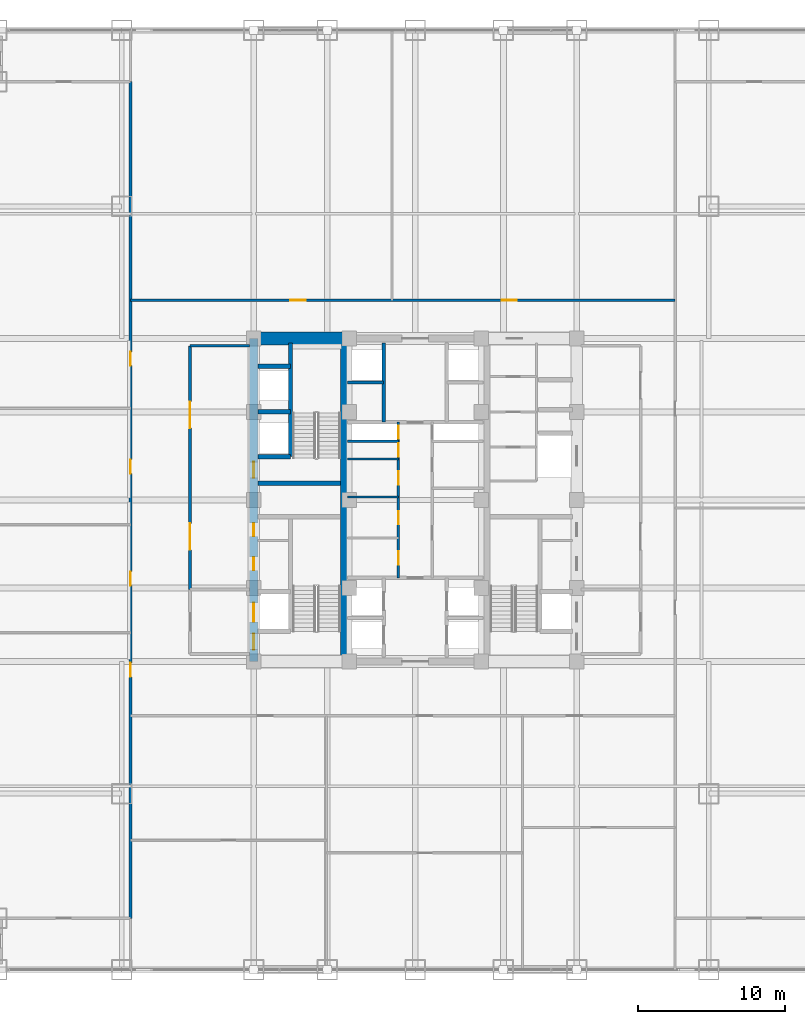
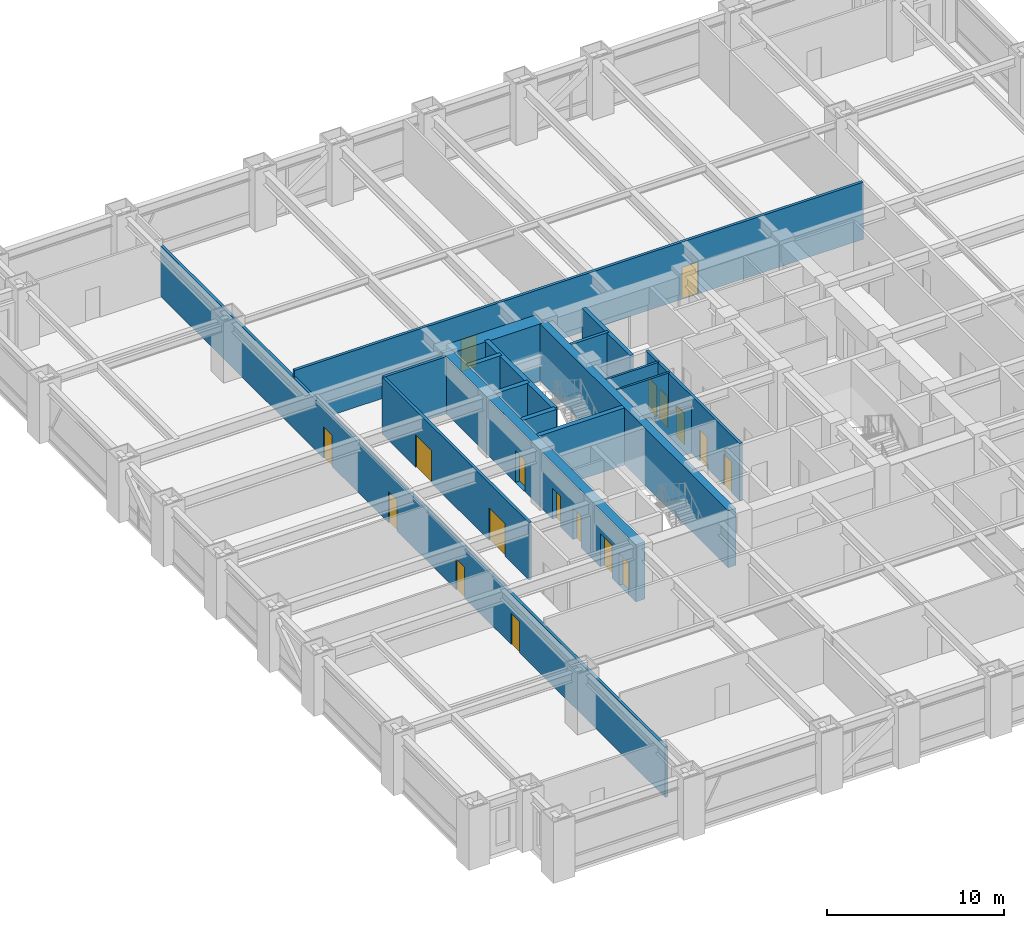
# One storey, part 25 of 28: 18 doors, 18 walls, 18 openings.
"""IFC4 building model written with IfcOpenShell, lengths in metres."""

from ifc_helpers import new_model, si_unit, direction, frame, frame_2d, origin, place, context, subcontext, project, spatial, rectangle, extrude, source, transform, mapped, material, layer, layer_set, type_object, element, fill, save


model = new_model("IFC4")

# Units and contexts
model_context = context("Model", 3, precision=1e-05, world=origin(), true_north=direction((0.0, 1.0)))
body_context = subcontext(model_context, "Body", "Model", "MODEL_VIEW")
ifc_project = project(units=[si_unit("LENGTHUNIT", "METRE"), si_unit("AREAUNIT", "SQUARE_METRE"), si_unit("VOLUMEUNIT", "CUBIC_METRE"), si_unit("PLANEANGLEUNIT", "RADIAN"), si_unit("MASSUNIT", "GRAM", prefix="KILO")], contexts=[model_context])

# Site, building, storey
site_placement = place(None, origin())
site = spatial("IfcSite", under=ifc_project, at=site_placement, CompositionType="ELEMENT")
building_placement = place(site_placement, origin())
building = spatial("IfcBuilding", under=site, at=building_placement, Name="Khorayat Bourse Tower", CompositionType="ELEMENT")
storey_placement = place(building_placement, frame((0.0, 0.0, 62.0)))
storey = spatial("IfcBuildingStorey", under=building, at=storey_placement, Name="L13", CompositionType="ELEMENT", Elevation=62.0)

# Wall, openings, doors
ifc_material_1 = material(Name="Concrete C60/75", Category="concrete")
ifc_layer_1 = layer(ifc_material_1, 0.60009765625)
ifc_layer_set_1 = layer_set([ifc_layer_1], Name="Concrete C60/75")
wall_type_1 = type_object("IfcWallType", Name="WAL-CORE-600", PredefinedType="SHEAR", material=ifc_layer_set_1)
shared_shape_1 = source(origin(), body_context, "Body", "SweptSolid", [
    extrude(rectangle(XDim=22.0, YDim=0.60009765625, at=frame_2d((11.0, 0.0))), origin(), (0.0, 0.0, 1.0), 3.93994140625),
])
wall_1_placement = place(storey_placement, frame((-11.0, -11.0, 0.0), z_axis=(0.0, 0.0, 1.0), x_axis=(0.0, 1.0, 0.0)))
wall_1 = element("IfcWall", 1, at=wall_1_placement, inside=storey, type_object=wall_type_1, Name="L13 Core Shear Wall CORE-W", PredefinedType="SHEAR", context=body_context, shape_type="MappedRepresentation", body=[
    mapped(shared_shape_1, transform((0.0, 0.0, 0.0), scale=1.0)),
])
shared_shape_2 = source(origin(), body_context, "Body", "SweptSolid", [
    extrude(rectangle(XDim=1.10009765625, YDim=2.199951171875, at=frame_2d((0.550048828125, 1.10009765625))), frame((0.0, 0.31005859375, 0.0), z_axis=(0.0, -1.0, 0.0), x_axis=(1.0, 0.0, 0.0)), (0.0, 0.0, 1.0), 0.6201171875),
])
opening_1_placement = place(wall_1_placement, frame((0.800048828125, 0.0, 0.0)))
opening_1 = element("IfcOpeningElement", 2, at=opening_1_placement, cuts=wall_1, Name="Opening DI-01", PredefinedType="OPENING", context=body_context, shape_type="MappedRepresentation", body=[
    mapped(shared_shape_2, transform((0.0, 0.0, 0.0), scale=1.0)),
])
opening_2_placement = place(wall_1_placement, frame((12.5, 0.0, 0.0)))
opening_2 = element("IfcOpeningElement", 3, at=opening_2_placement, cuts=wall_1, Name="Opening DI-01", PredefinedType="OPENING", context=body_context, shape_type="MappedRepresentation", body=[
    mapped(shared_shape_2, transform((0.0, 0.0, 0.0), scale=1.0)),
])
shared_shape_3 = source(origin(), body_context, "Body", "SweptSolid", [
    extrude(rectangle(XDim=0.89990234375, YDim=2.14990234375, at=frame_2d((0.449951171875, 1.074951171875))), frame((0.0, 0.31005859375, 0.0), z_axis=(0.0, -1.0, 0.0), x_axis=(1.0, 0.0, 0.0)), (0.0, 0.0, 1.0), 0.6201171875),
])
opening_3_placement = place(wall_1_placement, frame((6.199951171875, 0.0, 0.0)))
opening_3 = element("IfcOpeningElement", 4, at=opening_3_placement, cuts=wall_1, Name="Opening DI-06", PredefinedType="OPENING", context=body_context, shape_type="MappedRepresentation", body=[
    mapped(shared_shape_3, transform((0.0, 0.0, 0.0), scale=1.0)),
])
opening_4_placement = place(wall_1_placement, frame((8.52490234375, 0.0, 0.0)))
opening_4 = element("IfcOpeningElement", 5, at=opening_4_placement, cuts=wall_1, Name="Opening DI-06", PredefinedType="OPENING", context=body_context, shape_type="MappedRepresentation", body=[
    mapped(shared_shape_3, transform((0.0, 0.0, 0.0), scale=1.0)),
])
shared_shape_4 = source(origin(), body_context, "Body", "SweptSolid", [
    extrude(rectangle(XDim=1.300048828125, YDim=2.300048828125, at=frame_2d((0.64990234375, 1.14990234375))), frame((0.0, 0.31005859375, 0.0), z_axis=(0.0, -1.0, 0.0), x_axis=(1.0, 0.0, 0.0)), (0.0, 0.0, 1.0), 0.6201171875),
])
opening_5_placement = place(wall_1_placement, frame((2.699951171875, 0.0, 0.0)))
opening_5 = element("IfcOpeningElement", 6, at=opening_5_placement, cuts=wall_1, Name="Opening LD-02", PredefinedType="OPENING", context=body_context, shape_type="MappedRepresentation", body=[
    mapped(shared_shape_4, transform((0.0, 0.0, 0.0), scale=1.0)),
])
ifc_material_2 = material(Name="Fire-rated steel acoustic leaf", Category="steel")
door_type_1 = type_object("IfcDoorType", Name="DR-INT-STAIR-1100", OperationType="NOTDEFINED", PredefinedType="DOOR", material=ifc_material_2)
shared_shape_5 = source(origin(), body_context, "Body", "SweptSolid", [
    extrude(rectangle(XDim=1.10009765625, YDim=2.199951171875, at=frame_2d((0.550048828125, 1.10009765625))), frame((0.0, 0.02490234375, 0.0), z_axis=(0.0, -1.0, 0.0), x_axis=(1.0, 0.0, 0.0)), (0.0, 0.0, 1.0), 0.050048828125),
])
door_1_placement = place(opening_1_placement, origin())
door_1 = element("IfcDoor", 7, at=door_1_placement, inside=storey, type_object=door_type_1, Name="L13 Exit Stair 1 Door", OperationType="SINGLE_SWING_RIGHT", OverallHeight=2.199951171875, OverallWidth=1.10009765625, PredefinedType="DOOR", context=body_context, shape_type="MappedRepresentation", body=[
    mapped(shared_shape_5, transform((0.0, 0.0, 0.0), scale=1.0)),
])
fill(opening_1, door_1)
door_2_placement = place(opening_2_placement, origin())
door_2 = element("IfcDoor", 8, at=door_2_placement, inside=storey, type_object=door_type_1, Name="L13 Exit Stair 2 Door", OperationType="SINGLE_SWING_RIGHT", OverallHeight=2.199951171875, OverallWidth=1.10009765625, PredefinedType="DOOR", context=body_context, shape_type="MappedRepresentation", body=[
    mapped(shared_shape_5, transform((0.0, 0.0, 0.0), scale=1.0)),
])
fill(opening_2, door_2)
ifc_material_3 = material(Name="Moisture-resistant laminate washroom door")
door_type_2 = type_object("IfcDoorType", Name="DR-INT-WC-900", OperationType="NOTDEFINED", PredefinedType="DOOR", material=ifc_material_3)
shared_shape_6 = source(origin(), body_context, "Body", "SweptSolid", [
    extrude(rectangle(XDim=0.89990234375, YDim=2.14990234375, at=frame_2d((0.449951171875, 1.074951171875))), frame((0.0, 0.02490234375, 0.0), z_axis=(0.0, -1.0, 0.0), x_axis=(1.0, 0.0, 0.0)), (0.0, 0.0, 1.0), 0.050048828125),
])
door_3_placement = place(opening_3_placement, origin())
door_3 = element("IfcDoor", 9, at=door_3_placement, inside=storey, type_object=door_type_2, Name="L13 Switch Closet Door", OperationType="SINGLE_SWING_RIGHT", OverallHeight=2.14990234375, OverallWidth=0.89990234375, PredefinedType="DOOR", context=body_context, shape_type="MappedRepresentation", body=[
    mapped(shared_shape_6, transform((0.0, 0.0, 0.0), scale=1.0)),
])
fill(opening_3, door_3)
door_4_placement = place(opening_4_placement, origin())
door_4 = element("IfcDoor", 10, at=door_4_placement, inside=storey, type_object=door_type_2, Name="L13 Janitor Store Door", OperationType="SINGLE_SWING_LEFT", OverallHeight=2.14990234375, OverallWidth=0.89990234375, PredefinedType="DOOR", context=body_context, shape_type="MappedRepresentation", body=[
    mapped(shared_shape_6, transform((0.0, 0.0, 0.0), scale=1.0)),
])
fill(opening_4, door_4)
ifc_material_4 = material(Name="Fire-rated stainless-steel sliding landing door", Category="steel")
door_type_3 = type_object("IfcDoorType", Name="DR-LIFT-FF-1300", OperationType="NOTDEFINED", PredefinedType="DOOR", material=ifc_material_4)
shared_shape_7 = source(origin(), body_context, "Body", "SweptSolid", [
    extrude(rectangle(XDim=1.300048828125, YDim=2.300048828125, at=frame_2d((0.64990234375, 1.14990234375))), frame((0.0, 0.02490234375, 0.0), z_axis=(0.0, -1.0, 0.0), x_axis=(1.0, 0.0, 0.0)), (0.0, 0.0, 1.0), 0.050048828125),
])
door_5_placement = place(opening_5_placement, origin())
door_5 = element("IfcDoor", 11, at=door_5_placement, inside=storey, type_object=door_type_3, Name="L13 Lift FFL-01 Sliding Landing Door", OperationType="SLIDING_TO_LEFT", OverallHeight=2.300048828125, OverallWidth=1.300048828125, PredefinedType="DOOR", context=body_context, shape_type="MappedRepresentation", body=[
    mapped(shared_shape_7, transform((0.0, 0.0, 0.0), scale=1.0)),
])
fill(opening_5, door_5)

# Walls
ifc_material_5 = material(Name="Concrete C52/65", Category="concrete")
ifc_layer_2 = layer(ifc_material_5, 0.5)
ifc_layer_set_2 = layer_set([ifc_layer_2], Name="Concrete C52/65")
wall_type_2 = type_object("IfcWallType", Name="WAL-CORE-500", PredefinedType="SHEAR", material=ifc_layer_set_2)
shared_shape_8 = source(origin(), body_context, "Body", "SweptSolid", [
    extrude(rectangle(XDim=21.39990234375, YDim=0.5, at=frame_2d((10.699951171875, 0.0))), origin(), (0.0, 0.0, 1.0), 3.93994140625),
])
wall_2_placement = place(storey_placement, frame((-4.85009765625, -10.699951171875, 0.0), z_axis=(0.0, 0.0, 1.0), x_axis=(0.0, 1.0, 0.0)))
element("IfcWall", 12, at=wall_2_placement, inside=storey, type_object=wall_type_2, Name="L13 Core Shear Wall PIER-W", PredefinedType="SHEAR", context=body_context, shape_type="MappedRepresentation", body=[
    mapped(shared_shape_8, transform((0.0, 0.0, 0.0), scale=1.0)),
])
ifc_material_6 = material(Name="Concrete C72/90", Category="concrete")
ifc_layer_3 = layer(ifc_material_6, 0.89990234375)
ifc_layer_set_3 = layer_set([ifc_layer_3], Name="Concrete C72/90")
wall_type_3 = type_object("IfcWallType", Name="WAL-CORE-900", PredefinedType="SHEAR", material=ifc_layer_set_3)
shared_shape_9 = source(origin(), body_context, "Body", "SweptSolid", [
    extrude(rectangle(XDim=5.849853515625, YDim=0.89990234375, at=frame_2d((2.9248046875, 0.0))), origin(), (0.0, 0.0, 1.0), 3.93994140625),
])
wall_3_placement = place(storey_placement, frame((-10.699951171875, 11.0, 0.0), z_axis=(0.0, 0.0, 1.0), x_axis=(1.0, 0.0, 0.0)))
element("IfcWall", 13, at=wall_3_placement, inside=storey, type_object=wall_type_3, Name="L13 Core Shear Wall PIER-WN", PredefinedType="SHEAR", context=body_context, shape_type="MappedRepresentation", body=[
    mapped(shared_shape_9, transform((0.0, 0.0, 0.0), scale=1.0)),
])
ifc_material_7 = material(Name="Concrete C50/60", Category="concrete")
ifc_layer_4 = layer(ifc_material_7, 0.300048828125)
ifc_layer_set_4 = layer_set([ifc_layer_4], Name="Concrete C50/60")
wall_type_4 = type_object("IfcWallType", Name="WAL-SHAFT-300", PredefinedType="SHEAR", material=ifc_layer_set_4)
shared_shape_10 = source(origin(), body_context, "Body", "SweptSolid", [
    extrude(rectangle(XDim=5.599853515625, YDim=0.300048828125, at=frame_2d((2.7998046875, 0.0))), origin(), (0.0, 0.0, 1.0), 3.93994140625),
])
wall_4_placement = place(storey_placement, frame((-10.699951171875, 1.14990234375, 0.0), z_axis=(0.0, 0.0, 1.0), x_axis=(1.0, 0.0, 0.0)))
element("IfcWall", 14, at=wall_4_placement, inside=storey, type_object=wall_type_4, Name="L13 Core Shear Wall ST2-DIV", PredefinedType="SHEAR", context=body_context, shape_type="MappedRepresentation", body=[
    mapped(shared_shape_10, transform((0.0, 0.0, 0.0), scale=1.0)),
])
shared_shape_11 = source(origin(), body_context, "Body", "SweptSolid", [
    extrude(rectangle(XDim=2.199951171875, YDim=0.300048828125, at=frame_2d((1.10009765625, 0.0))), origin(), (0.0, 0.0, 1.0), 3.93994140625),
])
for number, where, z_axis, x_axis, name in (
    (15, (-10.699951171875, 2.949951171875, 0.0), (0.0, 0.0, 1.0), (1.0, 0.0, 0.0), "L13 Partition WAL-L13-WPIER-H1S"),
    (16, (-10.699951171875, 6.0, 0.0), (0.0, 0.0, 1.0), (1.0, 0.0, 0.0), "L13 Partition WAL-L13-WPIER-H12"),
    (17, (-10.699951171875, 9.10009765625, 0.0), (0.0, 0.0, 1.0), (1.0, 0.0, 0.0), "L13 Partition WAL-L13-WPIER-H2N"),
):
    element("IfcWall", number, at=place(storey_placement, frame(where, z_axis=z_axis, x_axis=x_axis)), inside=storey, type_object=wall_type_4, Name=name, PredefinedType="SHEAR", context=body_context, shape_type="MappedRepresentation", body=[
        mapped(shared_shape_11, transform((0.0, 0.0, 0.0), scale=1.0)),
    ])
shared_shape_12 = source(origin(), body_context, "Body", "SweptSolid", [
    extrude(rectangle(XDim=7.75, YDim=0.300048828125, at=frame_2d((3.875, 0.0))), origin(), (0.0, 0.0, 1.0), 3.93994140625),
])
wall_5_placement = place(storey_placement, frame((-8.5, 2.949951171875, 0.0), z_axis=(0.0, 0.0, 1.0), x_axis=(0.0, 1.0, 0.0)))
element("IfcWall", 18, at=wall_5_placement, inside=storey, type_object=wall_type_4, Name="L13 Partition WAL-L13-WPIER-ST2S", PredefinedType="SHEAR", context=body_context, shape_type="MappedRepresentation", body=[
    mapped(shared_shape_12, transform((0.0, 0.0, 0.0), scale=1.0)),
])
ifc_material_8 = material(Name="Gypsum plasterboard acoustic stud wall")
ifc_layer_5 = layer(ifc_material_8, 0.179931640625)
ifc_layer_set_5 = layer_set([ifc_layer_5], Name="Gypsum plasterboard acoustic stud wall")
wall_type_5 = type_object("IfcWallType", Name="WAL-PART-CORR-180", PredefinedType="PARTITIONING", material=ifc_layer_set_5)
shared_shape_13 = source(origin(), body_context, "Body", "SweptSolid", [
    extrude(rectangle(XDim=4.050048828125, YDim=0.179931640625, at=frame_2d((2.02490234375, 0.0))), origin(), (0.0, 0.0, 1.0), 3.93994140625),
])
wall_6_placement = place(storey_placement, frame((-15.35009765625, 10.5, 0.0), z_axis=(0.0, 0.0, 1.0), x_axis=(1.0, 0.0, 0.0)))
element("IfcWall", 19, at=wall_6_placement, inside=storey, type_object=wall_type_5, Name="L13 Partition WAL-L13-WLOB-N", PredefinedType="PARTITIONING", context=body_context, shape_type="MappedRepresentation", body=[
    mapped(shared_shape_13, transform((0.0, 0.0, 0.0), scale=1.0)),
])

# Wall, openings, doors
shared_shape_14 = source(origin(), body_context, "Body", "SweptSolid", [
    extrude(rectangle(XDim=16.60009765625, YDim=0.179931640625, at=frame_2d((8.300048828125, 0.0))), origin(), (0.0, 0.0, 1.0), 3.93994140625),
])
wall_7_placement = place(storey_placement, frame((-15.35009765625, -6.10009765625, 0.0), z_axis=(0.0, 0.0, 1.0), x_axis=(0.0, 1.0, 0.0)))
wall_7 = element("IfcWall", 20, at=wall_7_placement, inside=storey, type_object=wall_type_5, Name="L13 Partition WAL-L13-WLOB-W", PredefinedType="PARTITIONING", context=body_context, shape_type="MappedRepresentation", body=[
    mapped(shared_shape_14, transform((0.0, 0.0, 0.0), scale=1.0)),
])
shared_shape_15 = source(origin(), body_context, "Body", "SweptSolid", [
    extrude(rectangle(XDim=1.800048828125, YDim=2.25, at=frame_2d((0.89990234375, 1.125))), frame((0.0, 0.099853515625, 0.0), z_axis=(0.0, -1.0, 0.0), x_axis=(1.0, 0.0, 0.0)), (0.0, 0.0, 1.0), 0.199951171875),
])
opening_6_placement = place(wall_7_placement, frame((2.699951171875, 0.0, 0.0)))
opening_6 = element("IfcOpeningElement", 21, at=opening_6_placement, cuts=wall_7, Name="Opening DI-03", PredefinedType="OPENING", context=body_context, shape_type="MappedRepresentation", body=[
    mapped(shared_shape_15, transform((0.0, 0.0, 0.0), scale=1.0)),
])
opening_7_placement = place(wall_7_placement, frame((11.0, 0.0, 0.0)))
opening_7 = element("IfcOpeningElement", 22, at=opening_7_placement, cuts=wall_7, Name="Opening DI-03", PredefinedType="OPENING", context=body_context, shape_type="MappedRepresentation", body=[
    mapped(shared_shape_15, transform((0.0, 0.0, 0.0), scale=1.0)),
])
ifc_material_9 = material(Name="Fire-rated hardwood vision-panel double leaf", Category="wood")
door_type_4 = type_object("IfcDoorType", Name="DR-INT-CORR-1800", OperationType="NOTDEFINED", PredefinedType="DOOR", material=ifc_material_9)
shared_shape_16 = source(origin(), body_context, "Body", "SweptSolid", [
    extrude(rectangle(XDim=1.800048828125, YDim=2.25, at=frame_2d((0.89990234375, 1.125))), frame((0.0, 0.02490234375, 0.0), z_axis=(0.0, -1.0, 0.0), x_axis=(1.0, 0.0, 0.0)), (0.0, 0.0, 1.0), 0.050048828125),
])
door_6_placement = place(opening_6_placement, origin())
door_6 = element("IfcDoor", 23, at=door_6_placement, inside=storey, type_object=door_type_4, Name="L13 West Core Lobby South Door", OperationType="SINGLE_SWING_LEFT", OverallHeight=2.25, OverallWidth=1.800048828125, PredefinedType="DOOR", context=body_context, shape_type="MappedRepresentation", body=[
    mapped(shared_shape_16, transform((0.0, 0.0, 0.0), scale=1.0)),
])
fill(opening_6, door_6)
door_7_placement = place(opening_7_placement, origin())
door_7 = element("IfcDoor", 24, at=door_7_placement, inside=storey, type_object=door_type_4, Name="L13 West Core Lobby North Door", OperationType="SINGLE_SWING_RIGHT", OverallHeight=2.25, OverallWidth=1.800048828125, PredefinedType="DOOR", context=body_context, shape_type="MappedRepresentation", body=[
    mapped(shared_shape_16, transform((0.0, 0.0, 0.0), scale=1.0)),
])
fill(opening_7, door_7)

# Walls
ifc_material_10 = material(Name="Gypsum plasterboard twin-frame partition")
ifc_layer_6 = layer(ifc_material_10, 0.14990234375)
ifc_layer_set_6 = layer_set([ifc_layer_6], Name="Gypsum plasterboard twin-frame partition")
wall_type_6 = type_object("IfcWallType", Name="WAL-PART-SUITE-150", PredefinedType="PARTITIONING", material=ifc_layer_set_6)
shared_shape_17 = source(origin(), body_context, "Body", "SweptSolid", [
    extrude(rectangle(XDim=3.4501953125, YDim=0.14990234375, at=frame_2d((1.72509765625, 0.0))), origin(), (0.0, 0.0, 1.0), 3.93994140625),
])
wall_8_placement = place(storey_placement, frame((-4.60009765625, 4.0, 0.0), z_axis=(0.0, 0.0, 1.0), x_axis=(1.0, 0.0, 0.0)))
element("IfcWall", 25, at=wall_8_placement, inside=storey, type_object=wall_type_6, Name="L13 Partition WAL-L13-CRSW-S", PredefinedType="PARTITIONING", context=body_context, shape_type="MappedRepresentation", body=[
    mapped(shared_shape_17, transform((0.0, 0.0, 0.0), scale=1.0)),
])
shared_shape_18 = source(origin(), body_context, "Body", "SweptSolid", [
    extrude(rectangle(XDim=5.39990234375, YDim=0.25, at=frame_2d((2.699951171875, 0.0))), origin(), (0.0, 0.0, 1.0), 3.93994140625),
])
wall_9_placement = place(storey_placement, frame((-2.14990234375, 5.300048828125, 0.0), z_axis=(0.0, 0.0, 1.0), x_axis=(0.0, 1.0, 0.0)))
element("IfcWall", 26, at=wall_9_placement, inside=storey, type_object=wall_type_4, Name="L13 Partition WAL-L13-B2-W", PredefinedType="SHEAR", context=body_context, shape_type="MappedRepresentation", body=[
    mapped(shared_shape_18, transform((0.0, 0.0, 0.0), scale=1.0)),
])
shared_shape_19 = source(origin(), body_context, "Body", "SweptSolid", [
    extrude(rectangle(XDim=2.4501953125, YDim=0.199951171875, at=frame_2d((1.22509765625, 0.0))), origin(), (0.0, 0.0, 1.0), 3.93994140625),
])
wall_10_placement = place(storey_placement, frame((-4.60009765625, 8.0, 0.0), z_axis=(0.0, 0.0, 1.0), x_axis=(1.0, 0.0, 0.0)))
element("IfcWall", 27, at=wall_10_placement, inside=storey, type_object=wall_type_4, Name="L13 Partition WAL-L13-B2-MW", PredefinedType="SHEAR", context=body_context, shape_type="MappedRepresentation", body=[
    mapped(shared_shape_19, transform((0.0, 0.0, 0.0), scale=1.0)),
])
ifc_material_11 = material(Name="Moisture-resistant masonry partition", Category="masonry")
ifc_layer_7 = layer(ifc_material_11, 0.139892578125)
ifc_layer_set_7 = layer_set([ifc_layer_7], Name="Moisture-resistant masonry partition")
wall_type_7 = type_object("IfcWallType", Name="WAL-PART-WET-140", PredefinedType="PARTITIONING", material=ifc_layer_set_7)
shared_shape_20 = source(origin(), body_context, "Body", "SweptSolid", [
    extrude(rectangle(XDim=3.4501953125, YDim=0.139892578125, at=frame_2d((1.72509765625, 0.0))), origin(), (0.0, 0.0, 1.0), 3.93994140625),
])
wall_11_placement = place(storey_placement, frame((-4.60009765625, 2.800048828125, 0.0), z_axis=(0.0, 0.0, 1.0), x_axis=(1.0, 0.0, 0.0)))
element("IfcWall", 28, at=wall_11_placement, inside=storey, type_object=wall_type_7, Name="L13 Partition WAL-L13-CMW-D3", PredefinedType="PARTITIONING", context=body_context, shape_type="MappedRepresentation", body=[
    mapped(shared_shape_20, transform((0.0, 0.0, 0.0), scale=1.0)),
])

# Wall, openings, doors
shared_shape_21 = source(origin(), body_context, "Body", "SweptSolid", [
    extrude(rectangle(XDim=10.60009765625, YDim=0.179931640625, at=frame_2d((5.300048828125, 0.0))), origin(), (0.0, 0.0, 1.0), 3.93994140625),
])
wall_12_placement = place(storey_placement, frame((-1.14990234375, -5.300048828125, 0.0), z_axis=(0.0, 0.0, 1.0), x_axis=(0.0, 1.0, 0.0)))
wall_12 = element("IfcWall", 29, at=wall_12_placement, inside=storey, type_object=wall_type_5, Name="L13 Partition WAL-L13-CMW-L", PredefinedType="PARTITIONING", context=body_context, shape_type="MappedRepresentation", body=[
    mapped(shared_shape_21, transform((0.0, 0.0, 0.0), scale=1.0)),
])
shared_shape_22 = source(origin(), body_context, "Body", "SweptSolid", [
    extrude(rectangle(XDim=0.89990234375, YDim=2.14990234375, at=frame_2d((0.449951171875, 1.074951171875))), frame((0.0, 0.099853515625, 0.0), z_axis=(0.0, -1.0, 0.0), x_axis=(1.0, 0.0, 0.0)), (0.0, 0.0, 1.0), 0.199951171875),
])
opening_8_placement = place(wall_12_placement, frame((0.89990234375, 0.0, 0.0)))
opening_8 = element("IfcOpeningElement", 30, at=opening_8_placement, cuts=wall_12, Name="Opening DI-06", PredefinedType="OPENING", context=body_context, shape_type="MappedRepresentation", body=[
    mapped(shared_shape_22, transform((0.0, 0.0, 0.0), scale=1.0)),
])
opening_9_placement = place(wall_12_placement, frame((3.64990234375, 0.0, 0.0)))
opening_9 = element("IfcOpeningElement", 31, at=opening_9_placement, cuts=wall_12, Name="Opening DI-06", PredefinedType="OPENING", context=body_context, shape_type="MappedRepresentation", body=[
    mapped(shared_shape_22, transform((0.0, 0.0, 0.0), scale=1.0)),
])
opening_10_placement = place(wall_12_placement, frame((6.35009765625, 0.0, 0.0)))
opening_10 = element("IfcOpeningElement", 32, at=opening_10_placement, cuts=wall_12, Name="Opening DI-06", PredefinedType="OPENING", context=body_context, shape_type="MappedRepresentation", body=[
    mapped(shared_shape_22, transform((0.0, 0.0, 0.0), scale=1.0)),
])
opening_11_placement = place(wall_12_placement, frame((8.25, 0.0, 0.0)))
opening_11 = element("IfcOpeningElement", 33, at=opening_11_placement, cuts=wall_12, Name="Opening DI-06", PredefinedType="OPENING", context=body_context, shape_type="MappedRepresentation", body=[
    mapped(shared_shape_22, transform((0.0, 0.0, 0.0), scale=1.0)),
])
opening_12_placement = place(wall_12_placement, frame((9.47509765625, 0.0, 0.0)))
opening_12 = element("IfcOpeningElement", 34, at=opening_12_placement, cuts=wall_12, Name="Opening DI-06", PredefinedType="OPENING", context=body_context, shape_type="MappedRepresentation", body=[
    mapped(shared_shape_22, transform((0.0, 0.0, 0.0), scale=1.0)),
])
door_8_placement = place(opening_8_placement, origin())
door_8 = element("IfcDoor", 35, at=door_8_placement, inside=storey, type_object=door_type_2, Name="L13 Cleaners Store Door", OperationType="SINGLE_SWING_RIGHT", OverallHeight=2.14990234375, OverallWidth=0.89990234375, PredefinedType="DOOR", context=body_context, shape_type="MappedRepresentation", body=[
    mapped(shared_shape_6, transform((0.0, 0.0, 0.0), scale=1.0)),
])
fill(opening_8, door_8)
door_9_placement = place(opening_9_placement, origin())
door_9 = element("IfcDoor", 36, at=door_9_placement, inside=storey, type_object=door_type_2, Name="L13 Male Core Washroom Door", OperationType="SINGLE_SWING_LEFT", OverallHeight=2.14990234375, OverallWidth=0.89990234375, PredefinedType="DOOR", context=body_context, shape_type="MappedRepresentation", body=[
    mapped(shared_shape_6, transform((0.0, 0.0, 0.0), scale=1.0)),
])
fill(opening_9, door_9)
door_10_placement = place(opening_10_placement, origin())
door_10 = element("IfcDoor", 37, at=door_10_placement, inside=storey, type_object=door_type_2, Name="L13 Electrical Closet Door", OperationType="SINGLE_SWING_RIGHT", OverallHeight=2.14990234375, OverallWidth=0.89990234375, PredefinedType="DOOR", context=body_context, shape_type="MappedRepresentation", body=[
    mapped(shared_shape_6, transform((0.0, 0.0, 0.0), scale=1.0)),
])
fill(opening_10, door_10)
door_11_placement = place(opening_11_placement, origin())
door_11 = element("IfcDoor", 38, at=door_11_placement, inside=storey, type_object=door_type_2, Name="L13 Archive Cupboard Door", OperationType="SINGLE_SWING_LEFT", OverallHeight=2.14990234375, OverallWidth=0.89990234375, PredefinedType="DOOR", context=body_context, shape_type="MappedRepresentation", body=[
    mapped(shared_shape_6, transform((0.0, 0.0, 0.0), scale=1.0)),
])
fill(opening_11, door_11)
door_12_placement = place(opening_12_placement, origin())
door_12 = element("IfcDoor", 39, at=door_12_placement, inside=storey, type_object=door_type_2, Name="L13 West Core Riser Door", OperationType="SINGLE_SWING_LEFT", OverallHeight=2.14990234375, OverallWidth=0.89990234375, PredefinedType="DOOR", context=body_context, shape_type="MappedRepresentation", body=[
    mapped(shared_shape_6, transform((0.0, 0.0, 0.0), scale=1.0)),
])
fill(opening_12, door_12)

shared_shape_23 = source(origin(), body_context, "Body", "SweptSolid", [
    extrude(rectangle(XDim=57.0, YDim=0.179931640625, at=frame_2d((28.5, 0.0))), origin(), (0.0, 0.0, 1.0), 3.470947265625),
])
wall_13_placement = place(storey_placement, frame((-19.39990234375, -28.5, 0.0), z_axis=(0.0, 0.0, 1.0), x_axis=(0.0, 1.0, 0.0)))
wall_13 = element("IfcWall", 40, at=wall_13_placement, inside=storey, type_object=wall_type_5, Name="L13 Partition WAL-L13-WCORR", PredefinedType="PARTITIONING", context=body_context, shape_type="MappedRepresentation", body=[
    mapped(shared_shape_23, transform((0.0, 0.0, 0.0), scale=1.0)),
])
shared_shape_24 = source(origin(), body_context, "Body", "SweptSolid", [
    extrude(rectangle(XDim=0.949951171875, YDim=2.14990234375, at=frame_2d((0.47509765625, 1.074951171875))), frame((0.0, 0.099853515625, 0.0), z_axis=(0.0, -1.0, 0.0), x_axis=(1.0, 0.0, 0.0)), (0.0, 0.0, 1.0), 0.199951171875),
])
opening_13_placement = place(wall_13_placement, frame((16.455078125, 0.0, 0.0)))
opening_13 = element("IfcOpeningElement", 41, at=opening_13_placement, cuts=wall_13, Name="Opening DI-05", PredefinedType="OPENING", context=body_context, shape_type="MappedRepresentation", body=[
    mapped(shared_shape_24, transform((0.0, 0.0, 0.0), scale=1.0)),
])
opening_14_placement = place(wall_13_placement, frame((22.6640625, 0.0, 0.0)))
opening_14 = element("IfcOpeningElement", 42, at=opening_14_placement, cuts=wall_13, Name="Opening DI-05", PredefinedType="OPENING", context=body_context, shape_type="MappedRepresentation", body=[
    mapped(shared_shape_24, transform((0.0, 0.0, 0.0), scale=1.0)),
])
opening_15_placement = place(wall_13_placement, frame((30.304931640625, 0.0, 0.0)))
opening_15 = element("IfcOpeningElement", 43, at=opening_15_placement, cuts=wall_13, Name="Opening DI-05", PredefinedType="OPENING", context=body_context, shape_type="MappedRepresentation", body=[
    mapped(shared_shape_24, transform((0.0, 0.0, 0.0), scale=1.0)),
])
opening_16_placement = place(wall_13_placement, frame((37.64599609375, 0.0, 0.0)))
opening_16 = element("IfcOpeningElement", 44, at=opening_16_placement, cuts=wall_13, Name="Opening DI-05", PredefinedType="OPENING", context=body_context, shape_type="MappedRepresentation", body=[
    mapped(shared_shape_24, transform((0.0, 0.0, 0.0), scale=1.0)),
])
ifc_material_12 = material(Name="Acoustic oak veneer office door")
door_type_5 = type_object("IfcDoorType", Name="DR-INT-OFFICE-950", OperationType="NOTDEFINED", PredefinedType="DOOR", material=ifc_material_12)
shared_shape_25 = source(origin(), body_context, "Body", "SweptSolid", [
    extrude(rectangle(XDim=0.949951171875, YDim=2.14990234375, at=frame_2d((0.47509765625, 1.074951171875))), frame((0.0, 0.02490234375, 0.0), z_axis=(0.0, -1.0, 0.0), x_axis=(1.0, 0.0, 0.0)), (0.0, 0.0, 1.0), 0.050048828125),
])
door_13_placement = place(opening_13_placement, origin())
door_13 = element("IfcDoor", 45, at=door_13_placement, inside=storey, type_object=door_type_5, Name="L13 Public Washrooms and Restrooms W1 Door", OperationType="SINGLE_SWING_RIGHT", OverallHeight=2.14990234375, OverallWidth=0.949951171875, PredefinedType="DOOR", context=body_context, shape_type="MappedRepresentation", body=[
    mapped(shared_shape_25, transform((0.0, 0.0, 0.0), scale=1.0)),
])
fill(opening_13, door_13)
door_14_placement = place(opening_14_placement, origin())
door_14 = element("IfcDoor", 46, at=door_14_placement, inside=storey, type_object=door_type_5, Name="L13 Floor Reception Concierge W2 Door", OperationType="SINGLE_SWING_LEFT", OverallHeight=2.14990234375, OverallWidth=0.949951171875, PredefinedType="DOOR", context=body_context, shape_type="MappedRepresentation", body=[
    mapped(shared_shape_25, transform((0.0, 0.0, 0.0), scale=1.0)),
])
fill(opening_14, door_14)
door_15_placement = place(opening_15_placement, origin())
door_15 = element("IfcDoor", 47, at=door_15_placement, inside=storey, type_object=door_type_5, Name="L13 Occupational First Aid Clinic W3 Door", OperationType="SINGLE_SWING_RIGHT", OverallHeight=2.14990234375, OverallWidth=0.949951171875, PredefinedType="DOOR", context=body_context, shape_type="MappedRepresentation", body=[
    mapped(shared_shape_25, transform((0.0, 0.0, 0.0), scale=1.0)),
])
fill(opening_15, door_15)
door_16_placement = place(opening_16_placement, origin())
door_16 = element("IfcDoor", 48, at=door_16_placement, inside=storey, type_object=door_type_5, Name="L13 Members Exchange Lounge W4 Door", OperationType="SINGLE_SWING_LEFT", OverallHeight=2.14990234375, OverallWidth=0.949951171875, PredefinedType="DOOR", context=body_context, shape_type="MappedRepresentation", body=[
    mapped(shared_shape_25, transform((0.0, 0.0, 0.0), scale=1.0)),
])
fill(opening_16, door_16)

shared_shape_26 = source(origin(), body_context, "Body", "SweptSolid", [
    extrude(rectangle(XDim=37.099853515625, YDim=0.179931640625, at=frame_2d((18.5498046875, 0.0))), origin(), (0.0, 0.0, 1.0), 3.93994140625),
])
wall_14_placement = place(storey_placement, frame((-19.39990234375, 13.60009765625, 0.0), z_axis=(0.0, 0.0, 1.0), x_axis=(1.0, 0.0, 0.0)))
wall_14 = element("IfcWall", 49, at=wall_14_placement, inside=storey, type_object=wall_type_5, Name="L13 Partition WAL-L13-NCORR", PredefinedType="PARTITIONING", context=body_context, shape_type="MappedRepresentation", body=[
    mapped(shared_shape_26, transform((0.0, 0.0, 0.0), scale=1.0)),
])
shared_shape_27 = source(origin(), body_context, "Body", "SweptSolid", [
    extrude(rectangle(XDim=1.050048828125, YDim=2.199951171875, at=frame_2d((0.52490234375, 1.10009765625))), frame((0.0, 0.099853515625, 0.0), z_axis=(0.0, -1.0, 0.0), x_axis=(1.0, 0.0, 0.0)), (0.0, 0.0, 1.0), 0.199951171875),
])
opening_17_placement = place(wall_14_placement, frame((10.87890625, 0.0, 0.0)))
opening_17 = element("IfcOpeningElement", 50, at=opening_17_placement, cuts=wall_14, Name="Opening DI-04", PredefinedType="OPENING", context=body_context, shape_type="MappedRepresentation", body=[
    mapped(shared_shape_27, transform((0.0, 0.0, 0.0), scale=1.0)),
])
opening_18_placement = place(wall_14_placement, frame((25.279052734375, 0.0, 0.0)))
opening_18 = element("IfcOpeningElement", 51, at=opening_18_placement, cuts=wall_14, Name="Opening DI-04", PredefinedType="OPENING", context=body_context, shape_type="MappedRepresentation", body=[
    mapped(shared_shape_27, transform((0.0, 0.0, 0.0), scale=1.0)),
])
ifc_material_13 = material(Name="Fire-rated oak veneer suite entrance door")
door_type_6 = type_object("IfcDoorType", Name="DR-INT-SUITE-1050", OperationType="NOTDEFINED", PredefinedType="DOOR", material=ifc_material_13)
shared_shape_28 = source(origin(), body_context, "Body", "SweptSolid", [
    extrude(rectangle(XDim=1.050048828125, YDim=2.199951171875, at=frame_2d((0.52490234375, 1.10009765625))), frame((0.0, 0.02490234375, 0.0), z_axis=(0.0, -1.0, 0.0), x_axis=(1.0, 0.0, 0.0)), (0.0, 0.0, 1.0), 0.050048828125),
])
door_17_placement = place(opening_17_placement, origin())
door_17 = element("IfcDoor", 52, at=door_17_placement, inside=storey, type_object=door_type_6, Name="L13 Catering Servery Kitchen N1 Door", OperationType="SINGLE_SWING_RIGHT", OverallHeight=2.199951171875, OverallWidth=1.050048828125, PredefinedType="DOOR", context=body_context, shape_type="MappedRepresentation", body=[
    mapped(shared_shape_28, transform((0.0, 0.0, 0.0), scale=1.0)),
])
fill(opening_17, door_17)
door_18_placement = place(opening_18_placement, origin())
door_18 = element("IfcDoor", 53, at=door_18_placement, inside=storey, type_object=door_type_6, Name="L13 Staff Tea Pantry N2 Door", OperationType="SINGLE_SWING_LEFT", OverallHeight=2.199951171875, OverallWidth=1.050048828125, PredefinedType="DOOR", context=body_context, shape_type="MappedRepresentation", body=[
    mapped(shared_shape_28, transform((0.0, 0.0, 0.0), scale=1.0)),
])
fill(opening_18, door_18)

# Wall
shared_shape_29 = source(origin(), body_context, "Body", "SweptSolid", [
    extrude(rectangle(XDim=3.4501953125, YDim=0.139892578125, at=frame_2d((1.72509765625, 0.0))), origin(), (0.0, 0.0, 1.0), 3.2451171875),
])
wall_15_placement = place(storey_placement, frame((-4.60009765625, 0.199951171875, 0.0), z_axis=(0.0, 0.0, 1.0), x_axis=(1.0, 0.0, 0.0)))
element("IfcWall", 54, at=wall_15_placement, inside=storey, type_object=wall_type_7, Name="L13 Partition WAL-L13-CMW-D2", PredefinedType="PARTITIONING", context=body_context, shape_type="MappedRepresentation", body=[
    mapped(shared_shape_29, transform((0.0, 0.0, 0.0), scale=1.0)),
])

save(model, "model.ifc")
